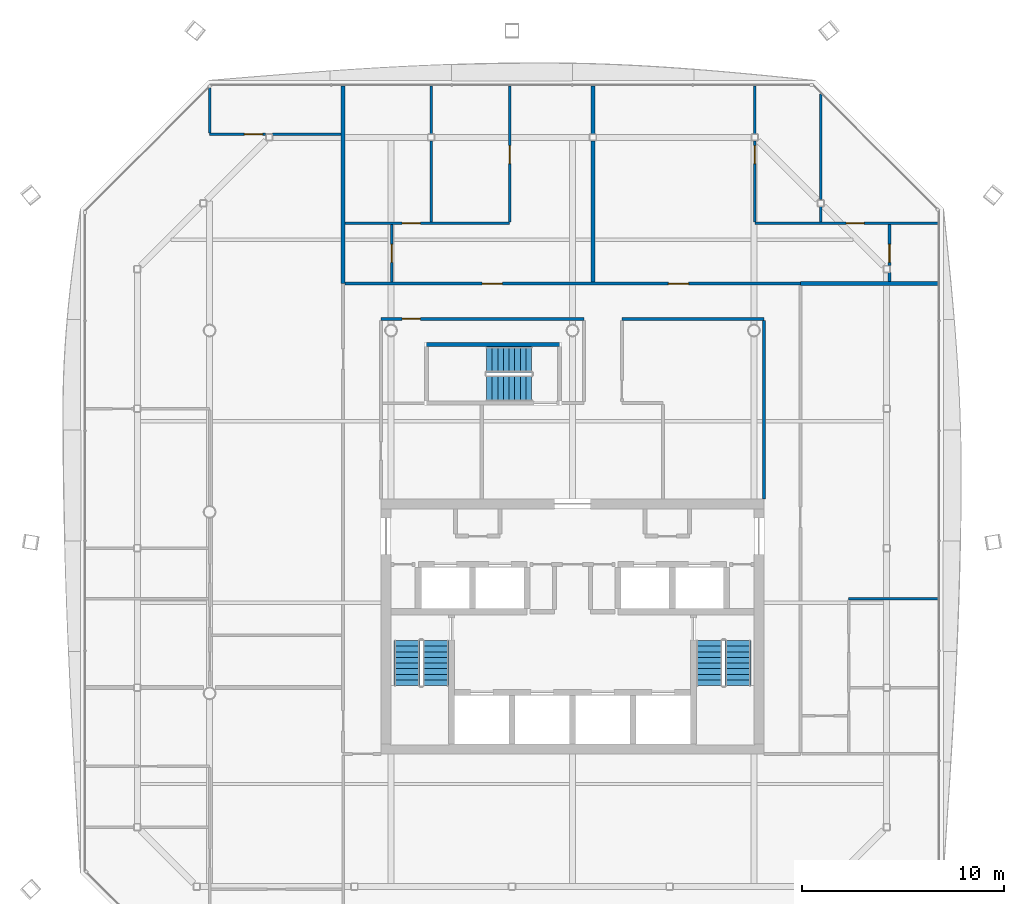
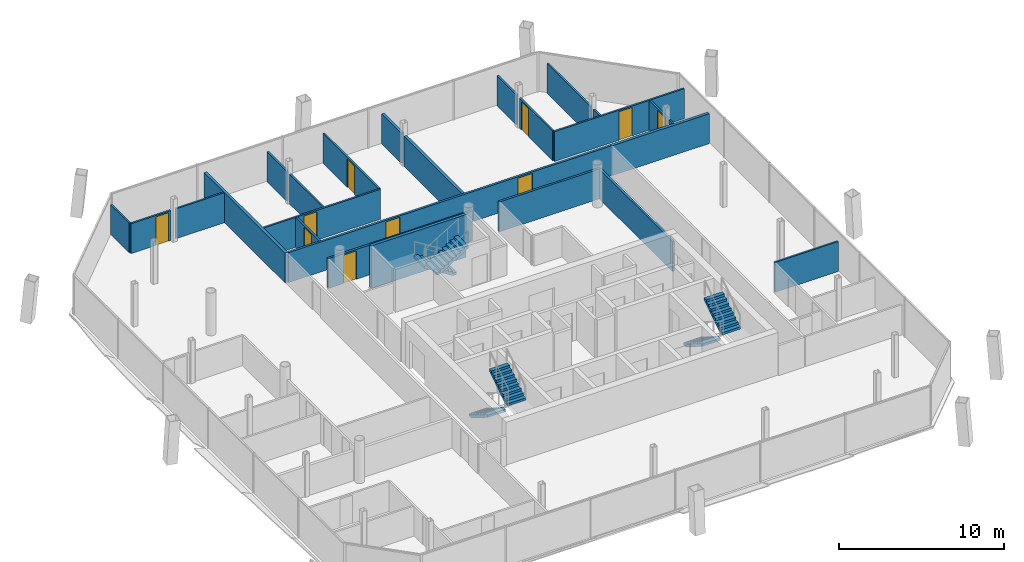
# One storey, part 16 of 20: 25 walls, 10 doors, 6 stair flights, 10 openings, 3 elements without a shape of their own.
"""IFC4 building model written with IfcOpenShell, lengths in metres."""

import ifcopenshell
import ifcopenshell.guid

model = None  # the IFC model being written
_history = None  # IfcOwnerHistory: only IFC2X3 demands one
_inside = {}  # id of a spatial element -> (the spatial element, [elements in it])
_under = {}  # id of a project, library or spatial element -> (it, [spatial elements below it])
_declared = {}  # id of a project -> (the project, [libraries it declares])
_typed = {}  # id of a type object -> (the type object, [elements of that type])
_made_of = {}  # id of a material, layer set ... -> (it, [elements and type objects made of it])


def new_model(schema):
    """Start an empty IFC model of exactly this schema.

    Asked for "IFC4X3", IfcOpenShell would pick the latest addendum, in which some entities
    have other attributes; the version numbers below select the first issue.
    IFC2X3 requires an IfcOwnerHistory on every rooted entity: one is made here for all.
    """
    global model, _history
    if schema == "IFC4X3":
        model = ifcopenshell.file(schema_version=(4, 3, 0, 0))
    else:
        model = ifcopenshell.file(schema=schema)
    _inside.clear()
    _under.clear()
    _declared.clear()
    _typed.clear()
    _made_of.clear()
    _history = None
    if model.schema == "IFC2X3":
        org = make("IfcOrganization", Name="unknown")
        user = make(
            "IfcPersonAndOrganization",
            ThePerson=make("IfcPerson", FamilyName="unknown"),
            TheOrganization=org,
        )
        app = make(
            "IfcApplication",
            ApplicationDeveloper=org,
            Version="unknown",
            ApplicationFullName="unknown",
            ApplicationIdentifier="unknown",
        )
        _history = make(
            "IfcOwnerHistory",
            OwningUser=user,
            OwningApplication=app,
            ChangeAction="ADDED",
            CreationDate=0,
        )
    return model


def make(cls, **values):
    """One entity of the class cls with the attributes given. An attribute that is None is left unset."""
    return model.create_entity(
        cls, **{name: value for name, value in values.items() if value is not None}
    )


def rooted(cls, **values):
    """An entity with a GlobalId (a new one), such as an element, a storey or a relation."""
    return make(cls, GlobalId=ifcopenshell.guid.new(), OwnerHistory=_history, **values)


def si_unit(unit_type, name, prefix=None):
    """IfcSIUnit, for example si_unit("LENGTHUNIT", "METRE", prefix="MILLI")."""
    return make("IfcSIUnit", UnitType=unit_type, Prefix=prefix, Name=name)


def assignment(units):
    """IfcUnitAssignment: the units of a project."""
    return None if units is None else make("IfcUnitAssignment", Units=units)


def point(xyz):
    """IfcCartesianPoint."""
    return None if xyz is None else make("IfcCartesianPoint", Coordinates=xyz)


def direction(xyz):
    """IfcDirection."""
    return None if xyz is None else make("IfcDirection", DirectionRatios=xyz)


def frame(location, z_axis=None, x_axis=None):
    """IfcAxis2Placement3D, a coordinate frame: its origin and axes. An axis left out is left unset."""
    return make(
        "IfcAxis2Placement3D",
        Location=point(location),
        Axis=direction(z_axis),
        RefDirection=direction(x_axis),
    )


def frame_2d(location, x_axis=None):
    """IfcAxis2Placement2D, a coordinate frame in the plane: its origin and x axis."""
    return make(
        "IfcAxis2Placement2D", Location=point(location), RefDirection=direction(x_axis)
    )


def origin():
    """The frame at (0, 0, 0) with its axes left unset."""
    return frame((0.0, 0.0, 0.0))


def place(relative_to, where):
    """IfcLocalPlacement: puts the frame where relative to a parent placement (None: the world)."""
    return make(
        "IfcLocalPlacement", PlacementRelTo=relative_to, RelativePlacement=where
    )


def context(
    kind, dimensions, precision=None, world=None, true_north=None, identifier=None
):
    """IfcGeometricRepresentationContext, for example the 3D "Model" context."""
    return make(
        "IfcGeometricRepresentationContext",
        ContextIdentifier=identifier,
        ContextType=kind,
        CoordinateSpaceDimension=dimensions,
        Precision=precision,
        WorldCoordinateSystem=world,
        TrueNorth=true_north,
    )


def subcontext(parent, identifier, kind, view, scale=None):
    """IfcGeometricRepresentationSubContext, for example "Body" below "Model"."""
    return make(
        "IfcGeometricRepresentationSubContext",
        ContextIdentifier=identifier,
        ContextType=kind,
        ParentContext=parent,
        TargetScale=scale,
        TargetView=view,
    )


def project(units=None, contexts=None):
    """IfcProject with its units and contexts."""
    return rooted(
        "IfcProject",
        Name="project",
        RepresentationContexts=contexts,
        UnitsInContext=assignment(units),
    )


def spatial(cls, under=None, at=None, **own):
    """A site, building, storey or space (cls), placed at a placement, below another one or the project."""
    s = rooted(cls, ObjectPlacement=at, **own)
    if under is not None:
        _under.setdefault(under.id(), (under, []))[1].append(s)
    return s


def polyline(points):
    """IfcPolyline through the points."""
    return make("IfcPolyline", Points=[point(p) for p in points])


def profile(cls, at=None, kind="AREA", **sizes):
    """A parametric profile (cls). Its sizes go by their IFC names, for example OverallWidth=200.0."""
    return make(cls, ProfileType=kind, Position=at, **sizes)


def rectangle(**sizes):
    """IfcRectangleProfileDef."""
    return profile("IfcRectangleProfileDef", **sizes)


def outline(outer, holes=None, kind="AREA"):
    """IfcArbitraryClosedProfileDef: a profile drawn as a closed curve; with holes, ...WithVoids."""
    if holes is None:
        return make("IfcArbitraryClosedProfileDef", ProfileType=kind, OuterCurve=outer)
    return make(
        "IfcArbitraryProfileDefWithVoids",
        ProfileType=kind,
        OuterCurve=outer,
        InnerCurves=holes,
    )


def extrude(swept, where, along, depth):
    """IfcExtrudedAreaSolid: the profile swept, set in the frame where, extruded along a direction by depth."""
    return make(
        "IfcExtrudedAreaSolid",
        SweptArea=swept,
        Position=where,
        ExtrudedDirection=direction(along),
        Depth=depth,
    )


def shape(context_of_items, identifier, shape_type, items):
    """IfcShapeRepresentation: the items that make up one representation, for example the "Body"."""
    return make(
        "IfcShapeRepresentation",
        ContextOfItems=context_of_items,
        RepresentationIdentifier=identifier,
        RepresentationType=shape_type,
        Items=items,
    )


def material(Name=None, Category=None):
    """IfcMaterial."""
    return make("IfcMaterial", Name=Name, Category=Category)


def layer(
    of_material, thickness, ventilated=None, Name=None, Category=None, Priority=None
):
    """IfcMaterialLayer: one layer of a wall or slab, of a material (None: an air gap)."""
    return make(
        "IfcMaterialLayer",
        Material=of_material,
        LayerThickness=thickness,
        IsVentilated=ventilated,
        Name=Name,
        Category=Category,
        Priority=Priority,
    )


def layer_set(layers, Name=None):
    """IfcMaterialLayerSet."""
    return make("IfcMaterialLayerSet", MaterialLayers=layers, LayerSetName=Name)


def made_of(thing, what):
    """Note that an element or type object is made of a material, layer set ...; save() writes the relation."""
    if what is not None:
        _made_of.setdefault(what.id(), (what, []))[1].append(thing)
    return thing


def type_object(cls, material=None, **own):
    """A type object (cls), such as IfcWallType, which elements share."""
    return made_of(rooted(cls, **own), material)


def element(
    cls,
    number,
    at=None,
    inside=None,
    cuts=None,
    type_object=None,
    material=None,
    context=None,
    identifier="Body",
    shape_type=None,
    held_by="IfcProductDefinitionShape",
    body=None,
    shapes=None,
    **own,
):
    """One element of the class cls, such as IfcWall. Its Tag is "e" and its number.

    at: its placement. inside: the storey or other place that contains it. cuts: it is an
    opening in that element (IfcRelVoidsElement). A single representation is given by context,
    identifier, shape_type and body (its items); several are given by shapes. held_by: the class
    of the entity that holds the representations. save() writes the other relations.
    """
    e = rooted(cls, Tag="e%d" % number, ObjectPlacement=at, **own)
    if body is not None:
        shapes = [shape(context, identifier, shape_type, body)]
    if shapes is not None:
        e.Representation = make(held_by, Representations=shapes)
    if inside is not None:
        _inside.setdefault(inside.id(), (inside, []))[1].append(e)
    if cuts is not None:
        rooted(
            "IfcRelVoidsElement", RelatingBuildingElement=cuts, RelatedOpeningElement=e
        )
    if type_object is not None:
        _typed.setdefault(type_object.id(), (type_object, []))[1].append(e)
    return made_of(e, material)


def fill(opening, filler):
    """IfcRelFillsElement: the door or window that sits in an opening."""
    return rooted(
        "IfcRelFillsElement",
        RelatingOpeningElement=opening,
        RelatedBuildingElement=filler,
    )


def aggregate(whole, parts):
    """IfcRelAggregates: a whole, such as a stair, and the parts it consists of."""
    return rooted("IfcRelAggregates", RelatingObject=whole, RelatedObjects=parts)


def save(model, path):
    """Write the relations noted so far, then the file.

    IfcRelAggregates (storeys below a building ...), IfcRelContainedInSpatialStructure (elements
    in a storey), IfcRelDefinesByType, IfcRelAssociatesMaterial and IfcRelDeclares: one each for
    every whole, place, type object, material and project.
    """
    for whole, parts in _under.values():
        aggregate(whole, parts)
    for where, things in _inside.values():
        rooted(
            "IfcRelContainedInSpatialStructure",
            RelatedElements=things,
            RelatingStructure=where,
        )
    for kind, things in _typed.values():
        rooted("IfcRelDefinesByType", RelatedObjects=things, RelatingType=kind)
    for what, things in _made_of.values():
        rooted("IfcRelAssociatesMaterial", RelatedObjects=things, RelatingMaterial=what)
    for by, libraries in _declared.values():
        rooted("IfcRelDeclares", RelatingContext=by, RelatedDefinitions=libraries)
    model.write(path)


model = new_model("IFC4")

# Units and contexts
model_context = context("Model", 3, precision=1e-05, world=origin(), true_north=direction((0.0, 1.0)))
body_context = subcontext(model_context, "Body", "Model", "MODEL_VIEW")
ifc_project = project(units=[si_unit("LENGTHUNIT", "METRE"), si_unit("AREAUNIT", "SQUARE_METRE"), si_unit("VOLUMEUNIT", "CUBIC_METRE"), si_unit("PLANEANGLEUNIT", "RADIAN"), si_unit("MASSUNIT", "GRAM", prefix="KILO")], contexts=[model_context])

# Site, building, storey
site_placement = place(None, origin())
site = spatial("IfcSite", under=ifc_project, at=site_placement, CompositionType="ELEMENT")
building_placement = place(site_placement, origin())
building = spatial("IfcBuilding", under=site, at=building_placement, Name="Tskaro Facet Tower", CompositionType="ELEMENT")
storey_placement = place(building_placement, frame((0.0, 0.0, 178.5)))
storey = spatial("IfcBuildingStorey", under=building, at=storey_placement, Name="L44", CompositionType="ELEMENT", Elevation=178.5)

# Wall
ifc_material_1 = material(Name="Gypsum board on steel studs", Category="steel")
ifc_layer_1 = layer(ifc_material_1, 0.125, Name="Gypsum board on steel studs")
ifc_layer_set_1 = layer_set([ifc_layer_1], Name="Gypsum board on steel studs")
wall_type_1 = type_object("IfcWallType", Name="PART", PredefinedType="PARTITIONING", material=ifc_layer_set_1)
wall_1_placement = place(storey_placement, frame((13.699951171875, -4.300048828125, 0.0), z_axis=(0.0, 0.0, 1.0), x_axis=(1.0, 0.0, 0.0)))
element("IfcWall", 1, at=wall_1_placement, inside=storey, type_object=wall_type_1, Name="Partition W021", PredefinedType="PARTITIONING", context=body_context, shape_type="SweptSolid", body=[
    extrude(rectangle(XDim=4.425048828125, YDim=0.125, at=frame_2d((2.21240234375, 0.0))), origin(), (0.0, 0.0, 1.0), 2.2099609375),
])

# Wall, opening, door
wall_2_placement = place(storey_placement, frame((-11.27490234375, 14.324951171875, 0.0), z_axis=(0.0, 0.0, 1.0), x_axis=(1.0, 0.0, 0.0)))
wall_2 = element("IfcWall", 2, at=wall_2_placement, inside=storey, type_object=wall_type_1, Name="Partition W042", PredefinedType="PARTITIONING", context=body_context, shape_type="SweptSolid", body=[
    extrude(rectangle(XDim=8.159912109375, YDim=0.125, at=frame_2d((4.080078125, 0.0))), origin(), (0.0, 0.0, 1.0), 2.2099609375),
])
opening_1_placement = place(wall_2_placement, frame((2.830078125, 0.0, 0.0)))
opening_1 = element("IfcOpeningElement", 3, at=opening_1_placement, cuts=wall_2, Name="Opening T12-D31", PredefinedType="OPENING", context=body_context, shape_type="SweptSolid", body=[
    extrude(rectangle(XDim=0.89990234375, YDim=2.10009765625, at=frame_2d((0.449951171875, 1.050048828125))), frame((0.0, 0.072509765625, 0.0), z_axis=(0.0, -1.0, 0.0), x_axis=(1.0, 0.0, 0.0)), (0.0, 0.0, 1.0), 0.14501953125),
])
ifc_material_2 = material(Name="Timber", Category="wood")
door_type_1 = type_object("IfcDoorType", Name="D-ROOM", OperationType="NOTDEFINED", PredefinedType="DOOR", material=ifc_material_2)
door_1_placement = place(opening_1_placement, origin())
door_1 = element("IfcDoor", 4, at=door_1_placement, inside=storey, type_object=door_type_1, Name="Door T12-D31", OperationType="SINGLE_SWING_RIGHT", OverallHeight=2.10009765625, OverallWidth=0.89990234375, PredefinedType="DOOR", context=body_context, shape_type="SweptSolid", body=[
    extrude(rectangle(XDim=0.89990234375, YDim=2.10009765625, at=frame_2d((0.449951171875, 1.050048828125))), frame((0.0, 0.02490234375, 0.0), z_axis=(0.0, -1.0, 0.0), x_axis=(1.0, 0.0, 0.0)), (0.0, 0.0, 1.0), 0.050048828125),
])
fill(opening_1, door_1)

wall_3_placement = place(storey_placement, frame((9.044921875, 14.324951171875, 0.0), z_axis=(0.0, 0.0, 1.0), x_axis=(1.0, 0.0, 0.0)))
wall_3 = element("IfcWall", 5, at=wall_3_placement, inside=storey, type_object=wall_type_1, Name="Partition W043", PredefinedType="PARTITIONING", context=body_context, shape_type="SweptSolid", body=[
    extrude(rectangle(XDim=9.080078125, YDim=0.125, at=frame_2d((4.5400390625, 0.0))), origin(), (0.0, 0.0, 1.0), 2.2099609375),
])
opening_2_placement = place(wall_3_placement, frame((4.52490234375, 0.0, 0.0)))
opening_2 = element("IfcOpeningElement", 6, at=opening_2_placement, cuts=wall_3, Name="Opening T12-D32", PredefinedType="OPENING", context=body_context, shape_type="SweptSolid", body=[
    extrude(rectangle(XDim=0.89990234375, YDim=2.10009765625, at=frame_2d((0.449951171875, 1.050048828125))), frame((0.0, 0.072509765625, 0.0), z_axis=(0.0, -1.0, 0.0), x_axis=(1.0, 0.0, 0.0)), (0.0, 0.0, 1.0), 0.14501953125),
])
door_2_placement = place(opening_2_placement, origin())
door_2 = element("IfcDoor", 7, at=door_2_placement, inside=storey, type_object=door_type_1, Name="Door T12-D32", OperationType="SINGLE_SWING_LEFT", OverallHeight=2.10009765625, OverallWidth=0.89990234375, PredefinedType="DOOR", context=body_context, shape_type="SweptSolid", body=[
    extrude(rectangle(XDim=0.89990234375, YDim=2.10009765625, at=frame_2d((0.449951171875, 1.050048828125))), frame((0.0, 0.02490234375, 0.0), z_axis=(0.0, -1.0, 0.0), x_axis=(1.0, 0.0, 0.0)), (0.0, 0.0, 1.0), 0.050048828125),
])
fill(opening_2, door_2)

wall_4_placement = place(storey_placement, frame((-18.0, 18.72509765625, 0.0), z_axis=(0.0, 0.0, 1.0), x_axis=(1.0, 0.0, 0.0)))
wall_4 = element("IfcWall", 8, at=wall_4_placement, inside=storey, type_object=wall_type_1, Name="Partition W044", PredefinedType="PARTITIONING", context=body_context, shape_type="SweptSolid", body=[
    extrude(rectangle(XDim=2.779052734375, YDim=0.125, at=frame_2d((1.3896484375, 0.0))), origin(), (0.0, 0.0, 1.0), 2.2099609375),
])
opening_3_placement = place(wall_4_placement, frame((1.72900390625, 0.0, 0.0)))
opening_3 = element("IfcOpeningElement", 9, at=opening_3_placement, cuts=wall_4, Name="Opening T12-D35", PredefinedType="OPENING", context=body_context, shape_type="SweptSolid", body=[
    extrude(rectangle(XDim=0.89990234375, YDim=2.10009765625, at=frame_2d((0.449951171875, 1.050048828125))), frame((0.0, 0.072509765625, 0.0), z_axis=(0.0, -1.0, 0.0), x_axis=(1.0, 0.0, 0.0)), (0.0, 0.0, 1.0), 0.14501953125),
])
door_3_placement = place(opening_3_placement, origin())
door_3 = element("IfcDoor", 10, at=door_3_placement, inside=storey, type_object=door_type_1, Name="Door T12-D35", OperationType="SINGLE_SWING_LEFT", OverallHeight=2.10009765625, OverallWidth=0.89990234375, PredefinedType="DOOR", context=body_context, shape_type="SweptSolid", body=[
    extrude(rectangle(XDim=0.89990234375, YDim=2.10009765625, at=frame_2d((0.449951171875, 1.050048828125))), frame((0.0, 0.02490234375, 0.0), z_axis=(0.0, -1.0, 0.0), x_axis=(1.0, 0.0, 0.0)), (0.0, 0.0, 1.0), 0.050048828125),
])
fill(opening_3, door_3)

# Walls
wall_5_placement = place(storey_placement, frame((-14.87109375, 18.72509765625, 0.0), z_axis=(0.0, 0.0, 1.0), x_axis=(1.0, 0.0, 0.0)))
element("IfcWall", 11, at=wall_5_placement, inside=storey, type_object=wall_type_1, Name="Partition W045", PredefinedType="PARTITIONING", context=body_context, shape_type="SweptSolid", body=[
    extrude(rectangle(XDim=3.39599609375, YDim=0.125, at=frame_2d((1.697998046875, 0.0))), origin(), (0.0, 0.0, 1.0), 2.2099609375),
])
wall_6_placement = place(storey_placement, frame((-18.0, 18.78759765625, 0.0), z_axis=(0.0, 0.0, 1.0), x_axis=(0.0, 1.0, 0.0)))
element("IfcWall", 12, at=wall_6_placement, inside=storey, type_object=wall_type_1, Name="Partition W049", PredefinedType="PARTITIONING", context=body_context, shape_type="SweptSolid", body=[
    extrude(rectangle(XDim=2.24951171875, YDim=0.125, at=frame_2d((1.124755859375, 0.0))), origin(), (0.0, 0.0, 1.0), 2.2099609375),
])

# Wall, opening, door
wall_7_placement = place(storey_placement, frame((-8.97509765625, 11.39990234375, 0.0), z_axis=(0.0, 0.0, 1.0), x_axis=(0.0, 1.0, 0.0)))
wall_7 = element("IfcWall", 13, at=wall_7_placement, inside=storey, type_object=wall_type_1, Name="Partition W054", PredefinedType="PARTITIONING", context=body_context, shape_type="SweptSolid", body=[
    extrude(rectangle(XDim=2.862548828125, YDim=0.125, at=frame_2d((1.43115234375, 0.0))), origin(), (0.0, 0.0, 1.0), 2.2099609375),
])
opening_4_placement = place(wall_7_placement, frame((0.97509765625, 0.0, 0.0)))
opening_4 = element("IfcOpeningElement", 14, at=opening_4_placement, cuts=wall_7, Name="Opening T12-D29", PredefinedType="OPENING", context=body_context, shape_type="SweptSolid", body=[
    extrude(rectangle(XDim=0.89990234375, YDim=2.10009765625, at=frame_2d((0.449951171875, 1.050048828125))), frame((0.0, 0.072509765625, 0.0), z_axis=(0.0, -1.0, 0.0), x_axis=(1.0, 0.0, 0.0)), (0.0, 0.0, 1.0), 0.14501953125),
])
door_4_placement = place(opening_4_placement, origin())
door_4 = element("IfcDoor", 15, at=door_4_placement, inside=storey, type_object=door_type_1, Name="Door T12-D29", OperationType="SINGLE_SWING_LEFT", OverallHeight=2.10009765625, OverallWidth=0.89990234375, PredefinedType="DOOR", context=body_context, shape_type="SweptSolid", body=[
    extrude(rectangle(XDim=0.89990234375, YDim=2.10009765625, at=frame_2d((0.449951171875, 1.050048828125))), frame((0.0, 0.02490234375, 0.0), z_axis=(0.0, -1.0, 0.0), x_axis=(1.0, 0.0, 0.0)), (0.0, 0.0, 1.0), 0.050048828125),
])
fill(opening_4, door_4)

# Walls
wall_8_placement = place(storey_placement, frame((-7.014892578125, 14.387451171875, 0.0), z_axis=(0.0, 0.0, 1.0), x_axis=(0.0, 1.0, 0.0)))
element("IfcWall", 16, at=wall_8_placement, inside=storey, type_object=wall_type_1, Name="Partition W057", PredefinedType="PARTITIONING", context=body_context, shape_type="SweptSolid", body=[
    extrude(rectangle(XDim=4.0205078125, YDim=0.125, at=frame_2d((2.01025390625, 0.0))), origin(), (0.0, 0.0, 1.0), 2.2099609375),
])
wall_9_placement = place(storey_placement, frame((-7.014892578125, 18.758056640625, 0.0), z_axis=(0.0, 0.0, 1.0), x_axis=(0.0, 1.0, 0.0)))
element("IfcWall", 17, at=wall_9_placement, inside=storey, type_object=wall_type_1, Name="Partition W058", PredefinedType="PARTITIONING", context=body_context, shape_type="SweptSolid", body=[
    extrude(rectangle(XDim=2.366943359375, YDim=0.125, at=frame_2d((1.18359375, 0.0))), origin(), (0.0, 0.0, 1.0), 2.2099609375),
])

# Wall, opening, door
wall_10_placement = place(storey_placement, frame((-3.114990234375, 14.387451171875, 0.0), z_axis=(0.0, 0.0, 1.0), x_axis=(0.0, 1.0, 0.0)))
wall_10 = element("IfcWall", 18, at=wall_10_placement, inside=storey, type_object=wall_type_1, Name="Partition W064", PredefinedType="PARTITIONING", context=body_context, shape_type="SweptSolid", body=[
    extrude(rectangle(XDim=6.737548828125, YDim=0.125, at=frame_2d((3.36865234375, 0.0))), origin(), (0.0, 0.0, 1.0), 2.2099609375),
])
opening_5_placement = place(wall_10_placement, frame((2.887451171875, 0.0, 0.0)))
opening_5 = element("IfcOpeningElement", 19, at=opening_5_placement, cuts=wall_10, Name="Opening T12-D33", PredefinedType="OPENING", context=body_context, shape_type="SweptSolid", body=[
    extrude(rectangle(XDim=0.89990234375, YDim=2.10009765625, at=frame_2d((0.449951171875, 1.050048828125))), frame((0.0, 0.072509765625, 0.0), z_axis=(0.0, -1.0, 0.0), x_axis=(1.0, 0.0, 0.0)), (0.0, 0.0, 1.0), 0.14501953125),
])
door_5_placement = place(opening_5_placement, origin())
door_5 = element("IfcDoor", 20, at=door_5_placement, inside=storey, type_object=door_type_1, Name="Door T12-D33", OperationType="SINGLE_SWING_RIGHT", OverallHeight=2.10009765625, OverallWidth=0.89990234375, PredefinedType="DOOR", context=body_context, shape_type="SweptSolid", body=[
    extrude(rectangle(XDim=0.89990234375, YDim=2.10009765625, at=frame_2d((0.449951171875, 1.050048828125))), frame((0.0, 0.02490234375, 0.0), z_axis=(0.0, -1.0, 0.0), x_axis=(1.0, 0.0, 0.0)), (0.0, 0.0, 1.0), 0.050048828125),
])
fill(opening_5, door_5)

wall_11_placement = place(storey_placement, frame((9.044921875, 18.407958984375, 0.0), z_axis=(0.0, 0.0, 1.0), x_axis=(0.0, -1.0, 0.0)))
wall_11 = element("IfcWall", 21, at=wall_11_placement, inside=storey, type_object=wall_type_1, Name="Partition W083", PredefinedType="PARTITIONING", context=body_context, shape_type="SweptSolid", body=[
    extrude(rectangle(XDim=4.0205078125, YDim=0.125, at=frame_2d((2.01025390625, 0.0))), origin(), (0.0, 0.0, 1.0), 2.2099609375),
])
opening_6_placement = place(wall_11_placement, frame((0.23291015625, 0.0, 0.0)))
opening_6 = element("IfcOpeningElement", 22, at=opening_6_placement, cuts=wall_11, Name="Opening T12-D34", PredefinedType="OPENING", context=body_context, shape_type="SweptSolid", body=[
    extrude(rectangle(XDim=0.89990234375, YDim=2.10009765625, at=frame_2d((0.449951171875, 1.050048828125))), frame((0.0, 0.072509765625, 0.0), z_axis=(0.0, -1.0, 0.0), x_axis=(1.0, 0.0, 0.0)), (0.0, 0.0, 1.0), 0.14501953125),
])
door_6_placement = place(opening_6_placement, origin())
door_6 = element("IfcDoor", 23, at=door_6_placement, inside=storey, type_object=door_type_1, Name="Door T12-D34", OperationType="SINGLE_SWING_LEFT", OverallHeight=2.10009765625, OverallWidth=0.89990234375, PredefinedType="DOOR", context=body_context, shape_type="SweptSolid", body=[
    extrude(rectangle(XDim=0.89990234375, YDim=2.10009765625, at=frame_2d((0.449951171875, 1.050048828125))), frame((0.0, 0.02490234375, 0.0), z_axis=(0.0, -1.0, 0.0), x_axis=(1.0, 0.0, 0.0)), (0.0, 0.0, 1.0), 0.050048828125),
])
fill(opening_6, door_6)

# Walls
wall_12_placement = place(storey_placement, frame((9.044921875, 18.758056640625, 0.0), z_axis=(0.0, 0.0, 1.0), x_axis=(0.0, 1.0, 0.0)))
element("IfcWall", 24, at=wall_12_placement, inside=storey, type_object=wall_type_1, Name="Partition W084", PredefinedType="PARTITIONING", context=body_context, shape_type="SweptSolid", body=[
    extrude(rectangle(XDim=2.366943359375, YDim=0.125, at=frame_2d((1.18359375, 0.0))), origin(), (0.0, 0.0, 1.0), 2.2099609375),
])
wall_13_placement = place(storey_placement, frame((12.31494140625, 14.387451171875, 0.0), z_axis=(0.0, 0.0, 1.0), x_axis=(0.0, 1.0, 0.0)))
element("IfcWall", 25, at=wall_13_placement, inside=storey, type_object=wall_type_1, Name="Partition W087", PredefinedType="PARTITIONING", context=body_context, shape_type="SweptSolid", body=[
    extrude(rectangle(XDim=0.75146484375, YDim=0.125, at=frame_2d((0.375732421875, 0.0))), origin(), (0.0, 0.0, 1.0), 2.2099609375),
])
wall_14_placement = place(storey_placement, frame((12.31494140625, 15.489013671875, 0.0), z_axis=(0.0, 0.0, 1.0), x_axis=(0.0, 1.0, 0.0)))
element("IfcWall", 26, at=wall_14_placement, inside=storey, type_object=wall_type_1, Name="Partition W088", PredefinedType="PARTITIONING", context=body_context, shape_type="SweptSolid", body=[
    extrude(rectangle(XDim=5.23291015625, YDim=0.125, at=frame_2d((2.616455078125, 0.0))), origin(), (0.0, 0.0, 1.0), 2.2099609375),
])
wall_15_placement = place(storey_placement, frame((15.72509765625, 11.425048828125, 0.0), z_axis=(0.0, 0.0, 1.0), x_axis=(0.0, 1.0, 0.0)))
element("IfcWall", 27, at=wall_15_placement, inside=storey, type_object=wall_type_1, Name="Partition W090", PredefinedType="PARTITIONING", context=body_context, shape_type="SweptSolid", body=[
    extrude(rectangle(XDim=0.446044921875, YDim=0.125, at=frame_2d((0.22314453125, 0.0))), origin(), (0.0, 0.0, 1.0), 2.2099609375),
])

# Wall, opening, door
wall_16_placement = place(storey_placement, frame((15.72509765625, 14.262451171875, 0.0), z_axis=(0.0, 0.0, 1.0), x_axis=(0.0, -1.0, 0.0)))
wall_16 = element("IfcWall", 28, at=wall_16_placement, inside=storey, type_object=wall_type_1, Name="Partition W091", PredefinedType="PARTITIONING", context=body_context, shape_type="SweptSolid", body=[
    extrude(rectangle(XDim=2.04150390625, YDim=0.125, at=frame_2d((1.020751953125, 0.0))), origin(), (0.0, 0.0, 1.0), 2.2099609375),
])
opening_7_placement = place(wall_16_placement, frame((0.987548828125, 0.0, 0.0)))
opening_7 = element("IfcOpeningElement", 29, at=opening_7_placement, cuts=wall_16, Name="Opening T12-D30", PredefinedType="OPENING", context=body_context, shape_type="SweptSolid", body=[
    extrude(rectangle(XDim=0.89990234375, YDim=2.10009765625, at=frame_2d((0.449951171875, 1.050048828125))), frame((0.0, 0.072509765625, 0.0), z_axis=(0.0, -1.0, 0.0), x_axis=(1.0, 0.0, 0.0)), (0.0, 0.0, 1.0), 0.14501953125),
])
door_7_placement = place(opening_7_placement, origin())
door_7 = element("IfcDoor", 30, at=door_7_placement, inside=storey, type_object=door_type_1, Name="Door T12-D30", OperationType="SINGLE_SWING_RIGHT", OverallHeight=2.10009765625, OverallWidth=0.89990234375, PredefinedType="DOOR", context=body_context, shape_type="SweptSolid", body=[
    extrude(rectangle(XDim=0.89990234375, YDim=2.10009765625, at=frame_2d((0.449951171875, 1.050048828125))), frame((0.0, 0.02490234375, 0.0), z_axis=(0.0, -1.0, 0.0), x_axis=(1.0, 0.0, 0.0)), (0.0, 0.0, 1.0), 0.050048828125),
])
fill(opening_7, door_7)

ifc_layer_2 = layer(ifc_material_1, 0.14990234375, Name="Gypsum board on steel studs")
ifc_layer_set_2 = layer_set([ifc_layer_2], Name="Gypsum board on steel studs")
wall_type_2 = type_object("IfcWallType", Name="PART-CORR", PredefinedType="PARTITIONING", material=ifc_layer_set_2)
wall_17_placement = place(storey_placement, frame((0.574951171875, 9.574951171875, 0.0), z_axis=(0.0, 0.0, 1.0), x_axis=(-1.0, 0.0, 0.0)))
wall_17 = element("IfcWall", 31, at=wall_17_placement, inside=storey, type_object=wall_type_2, Name="Corridor wall W038", PredefinedType="PARTITIONING", context=body_context, shape_type="SweptSolid", body=[
    extrude(rectangle(XDim=10.074951171875, YDim=0.14990234375, at=frame_2d((5.03759765625, 0.0))), origin(), (0.0, 0.0, 1.0), 2.2099609375),
])
opening_8_placement = place(wall_17_placement, frame((8.125, 0.0, 0.0)))
opening_8 = element("IfcOpeningElement", 32, at=opening_8_placement, cuts=wall_17, Name="Opening T12-D26", PredefinedType="OPENING", context=body_context, shape_type="SweptSolid", body=[
    extrude(rectangle(XDim=0.89990234375, YDim=2.10009765625, at=frame_2d((0.449951171875, 1.050048828125))), frame((0.0, 0.0849609375, 0.0), z_axis=(0.0, -1.0, 0.0), x_axis=(1.0, 0.0, 0.0)), (0.0, 0.0, 1.0), 0.169921875),
])
door_8_placement = place(opening_8_placement, origin())
door_8 = element("IfcDoor", 33, at=door_8_placement, inside=storey, type_object=door_type_1, Name="Door T12-D26", OperationType="SINGLE_SWING_RIGHT", OverallHeight=2.10009765625, OverallWidth=0.89990234375, PredefinedType="DOOR", context=body_context, shape_type="SweptSolid", body=[
    extrude(rectangle(XDim=0.89990234375, YDim=2.10009765625, at=frame_2d((0.449951171875, 1.050048828125))), frame((0.0, 0.02490234375, 0.0), z_axis=(0.0, -1.0, 0.0), x_axis=(1.0, 0.0, 0.0)), (0.0, 0.0, 1.0), 0.050048828125),
])
fill(opening_8, door_8)

# Wall
wall_18_placement = place(storey_placement, frame((2.449951171875, 9.574951171875, 0.0), z_axis=(0.0, 0.0, 1.0), x_axis=(1.0, 0.0, 0.0)))
element("IfcWall", 34, at=wall_18_placement, inside=storey, type_object=wall_type_2, Name="Corridor wall W039", PredefinedType="PARTITIONING", context=body_context, shape_type="SweptSolid", body=[
    extrude(rectangle(XDim=7.050048828125, YDim=0.14990234375, at=frame_2d((3.52490234375, 0.0))), origin(), (0.0, 0.0, 1.0), 2.2099609375),
])

# Wall, openings, doors
wall_19_placement = place(storey_placement, frame((-11.27490234375, 11.324951171875, 0.0), z_axis=(0.0, 0.0, 1.0), x_axis=(1.0, 0.0, 0.0)))
wall_19 = element("IfcWall", 35, at=wall_19_placement, inside=storey, type_object=wall_type_2, Name="Corridor wall W040", PredefinedType="PARTITIONING", context=body_context, shape_type="SweptSolid", body=[
    extrude(rectangle(XDim=22.574951171875, YDim=0.14990234375, at=frame_2d((11.28759765625, 0.0))), origin(), (0.0, 0.0, 1.0), 2.2099609375),
])
opening_9_placement = place(wall_19_placement, frame((6.794921875, 0.0, 0.0)))
opening_9 = element("IfcOpeningElement", 36, at=opening_9_placement, cuts=wall_19, Name="Opening T12-D27", PredefinedType="OPENING", context=body_context, shape_type="SweptSolid", body=[
    extrude(rectangle(XDim=1.0, YDim=2.10009765625, at=frame_2d((0.5, 1.050048828125))), frame((0.0, 0.0849609375, 0.0), z_axis=(0.0, -1.0, 0.0), x_axis=(1.0, 0.0, 0.0)), (0.0, 0.0, 1.0), 0.169921875),
])
opening_10_placement = place(wall_19_placement, frame((16.032470703125, 0.0, 0.0)))
opening_10 = element("IfcOpeningElement", 37, at=opening_10_placement, cuts=wall_19, Name="Opening T12-D28", PredefinedType="OPENING", context=body_context, shape_type="SweptSolid", body=[
    extrude(rectangle(XDim=1.0, YDim=2.10009765625, at=frame_2d((0.5, 1.050048828125))), frame((0.0, 0.0849609375, 0.0), z_axis=(0.0, -1.0, 0.0), x_axis=(1.0, 0.0, 0.0)), (0.0, 0.0, 1.0), 0.169921875),
])
door_type_2 = type_object("IfcDoorType", Name="D-FLAT-ENTRY", OperationType="NOTDEFINED", PredefinedType="DOOR", material=ifc_material_2)
door_9_placement = place(opening_9_placement, origin())
door_9 = element("IfcDoor", 38, at=door_9_placement, inside=storey, type_object=door_type_2, Name="Door T12-D27", OperationType="SINGLE_SWING_LEFT", OverallHeight=2.10009765625, OverallWidth=1.0, PredefinedType="DOOR", context=body_context, shape_type="SweptSolid", body=[
    extrude(rectangle(XDim=1.0, YDim=2.10009765625, at=frame_2d((0.5, 1.050048828125))), frame((0.0, 0.02490234375, 0.0), z_axis=(0.0, -1.0, 0.0), x_axis=(1.0, 0.0, 0.0)), (0.0, 0.0, 1.0), 0.050048828125),
])
fill(opening_9, door_9)
door_10_placement = place(opening_10_placement, origin())
door_10 = element("IfcDoor", 39, at=door_10_placement, inside=storey, type_object=door_type_2, Name="Door T12-D28", OperationType="SINGLE_SWING_RIGHT", OverallHeight=2.10009765625, OverallWidth=1.0, PredefinedType="DOOR", context=body_context, shape_type="SweptSolid", body=[
    extrude(rectangle(XDim=1.0, YDim=2.10009765625, at=frame_2d((0.5, 1.050048828125))), frame((0.0, 0.02490234375, 0.0), z_axis=(0.0, -1.0, 0.0), x_axis=(1.0, 0.0, 0.0)), (0.0, 0.0, 1.0), 0.050048828125),
])
fill(opening_10, door_10)

# Walls
wall_20_placement = place(storey_placement, frame((9.5, 0.64990234375, 0.0), z_axis=(0.0, 0.0, 1.0), x_axis=(0.0, 1.0, 0.0)))
element("IfcWall", 40, at=wall_20_placement, inside=storey, type_object=wall_type_2, Name="Corridor wall W085", PredefinedType="PARTITIONING", context=body_context, shape_type="SweptSolid", body=[
    extrude(rectangle(XDim=8.85009765625, YDim=0.14990234375, at=frame_2d((4.425048828125, 0.0))), origin(), (0.0, 0.0, 1.0), 2.2099609375),
])
ifc_layer_3 = layer(ifc_material_1, 0.199951171875, Name="Gypsum board on steel studs")
ifc_layer_set_3 = layer_set([ifc_layer_3], Name="Gypsum board on steel studs")
wall_type_3 = type_object("IfcWallType", Name="PART-DEMISING", PredefinedType="PARTITIONING", material=ifc_layer_set_3)
wall_21_placement = place(storey_placement, frame((11.300048828125, 11.324951171875, 0.0), z_axis=(0.0, 0.0, 1.0), x_axis=(1.0, 0.0, 0.0)))
element("IfcWall", 41, at=wall_21_placement, inside=storey, type_object=wall_type_3, Name="Guest room wall W041", PredefinedType="PARTITIONING", context=body_context, shape_type="SweptSolid", body=[
    extrude(rectangle(XDim=6.824951171875, YDim=0.199951171875, at=frame_2d((3.41259765625, 0.0))), origin(), (0.0, 0.0, 1.0), 2.2099609375),
])
wall_22_placement = place(storey_placement, frame((-11.375, 11.324951171875, 0.0), z_axis=(0.0, 0.0, 1.0), x_axis=(0.0, 1.0, 0.0)))
element("IfcWall", 42, at=wall_22_placement, inside=storey, type_object=wall_type_3, Name="Guest room wall W052", PredefinedType="PARTITIONING", context=body_context, shape_type="SweptSolid", body=[
    extrude(rectangle(XDim=9.800048828125, YDim=0.199951171875, at=frame_2d((4.89990234375, 0.0))), origin(), (0.0, 0.0, 1.0), 2.2099609375),
])
wall_23_placement = place(storey_placement, frame((1.014892578125, 11.39990234375, 0.0), z_axis=(0.0, 0.0, 1.0), x_axis=(0.0, 1.0, 0.0)))
element("IfcWall", 43, at=wall_23_placement, inside=storey, type_object=wall_type_3, Name="Guest room wall W072", PredefinedType="PARTITIONING", context=body_context, shape_type="SweptSolid", body=[
    extrude(rectangle(XDim=7.008056640625, YDim=0.199951171875, at=frame_2d((3.50390625, 0.0))), origin(), (0.0, 0.0, 1.0), 2.2099609375),
])
wall_24_placement = place(storey_placement, frame((1.014892578125, 18.758056640625, 0.0), z_axis=(0.0, 0.0, 1.0), x_axis=(0.0, 1.0, 0.0)))
element("IfcWall", 44, at=wall_24_placement, inside=storey, type_object=wall_type_3, Name="Guest room wall W073", PredefinedType="PARTITIONING", context=body_context, shape_type="SweptSolid", body=[
    extrude(rectangle(XDim=2.366943359375, YDim=0.199951171875, at=frame_2d((1.18359375, 0.0))), origin(), (0.0, 0.0, 1.0), 2.2099609375),
])
ifc_material_3 = material(Name="Concrete C60/75", Category="concrete")
ifc_layer_4 = layer(ifc_material_3, 0.199951171875, Name="Concrete C60/75")
ifc_layer_set_4 = layer_set([ifc_layer_4], Name="Concrete C60/75")
wall_type_4 = type_object("IfcWallType", Name="STAIR-WALL", PredefinedType="SHEAR", material=ifc_layer_set_4)
wall_25_placement = place(storey_placement, frame((-7.25, 8.300048828125, 0.0), z_axis=(0.0, 0.0, 1.0), x_axis=(1.0, 0.0, 0.0)))
element("IfcWall", 45, at=wall_25_placement, inside=storey, type_object=wall_type_4, Name="Stair wall W037", PredefinedType="SHEAR", context=body_context, shape_type="SweptSolid", body=[
    extrude(rectangle(XDim=6.60009765625, YDim=0.199951171875, at=frame_2d((3.300048828125, 0.0))), origin(), (0.0, 0.0, 1.0), 3.14990234375),
])

# Stair, stair flights
ifc_material_4 = material(Name="Concrete C40/50", Category="concrete")
stair_type = type_object("IfcStairType", Name="ST-TWR", PredefinedType="HALF_TURN_STAIR", material=ifc_material_4)
stair_1_placement = place(storey_placement, origin())
stair_1 = element("IfcStair", 46, at=stair_1_placement, inside=storey, type_object=stair_type, Name="L44 Exit stair 1", PredefinedType="HALF_TURN_STAIR")
stair_flight_type = type_object("IfcStairFlightType", Name="SFL-RC", PredefinedType="STRAIGHT", material=ifc_material_4)
stair_flight_1_placement = place(storey_placement, frame((-8.21240234375, -6.375, 0.0), z_axis=(0.0, 0.0, 1.0), x_axis=(0.0, -1.0, 0.0)))
stair_flight_1 = element("IfcStairFlight", 47, at=stair_flight_1_placement, type_object=stair_flight_type, Name="ST-1 flight 1", NumberOfRisers=9, NumberOfTreads=8, PredefinedType="STRAIGHT", RiserHeight=0.175, TreadLength=0.28, context=body_context, shape_type="SweptSolid", body=[
    extrude(outline(polyline([(0.0, 0.0), (0.0, 0.175048828125), (0.280029296875, 0.175048828125), (0.280029296875, 0.35009765625), (0.56005859375, 0.35009765625), (0.56005859375, 0.52490234375), (0.840087890625, 0.52490234375), (0.840087890625, 0.699951171875), (1.1201171875, 0.699951171875), (1.1201171875, 0.875), (1.39990234375, 0.875), (1.39990234375, 1.050048828125), (1.679931640625, 1.050048828125), (1.679931640625, 1.22509765625), (1.9599609375, 1.22509765625), (1.9599609375, 1.39990234375), (2.239990234375, 1.39990234375), (2.239990234375, 1.574951171875), (2.239990234375, 1.22314453125), (0.28271484375, 0.0), (0.0, 0.0)])), frame((0.0, 0.637451171875, 0.0), z_axis=(0.0, -1.0, 0.0), x_axis=(1.0, 0.0, 0.0)), (0.0, 0.0, 1.0), 1.27490234375),
])
stair_flight_2_placement = place(storey_placement, frame((-6.78759765625, -8.614990234375, 1.574951171875), z_axis=(0.0, 0.0, 1.0), x_axis=(0.0, 1.0, 0.0)))
stair_flight_2 = element("IfcStairFlight", 48, at=stair_flight_2_placement, type_object=stair_flight_type, Name="ST-1 flight 2", NumberOfRisers=9, NumberOfTreads=8, PredefinedType="STRAIGHT", RiserHeight=0.175, TreadLength=0.28, context=body_context, shape_type="SweptSolid", body=[
    extrude(outline(polyline([(0.0, 0.0), (0.0, 0.175048828125), (0.280029296875, 0.175048828125), (0.280029296875, 0.35009765625), (0.56005859375, 0.35009765625), (0.56005859375, 0.52490234375), (0.840087890625, 0.52490234375), (0.840087890625, 0.699951171875), (1.1201171875, 0.699951171875), (1.1201171875, 0.875), (1.39990234375, 0.875), (1.39990234375, 1.050048828125), (1.679931640625, 1.050048828125), (1.679931640625, 1.22509765625), (1.9599609375, 1.22509765625), (1.9599609375, 1.39990234375), (2.239990234375, 1.39990234375), (2.239990234375, 1.574951171875), (2.239990234375, 1.22314453125), (0.28271484375, 0.0), (0.0, 0.0)])), frame((0.0, 0.637451171875, 0.0), z_axis=(0.0, -1.0, 0.0), x_axis=(1.0, 0.0, 0.0)), (0.0, 0.0, 1.0), 1.27490234375),
])
aggregate(stair_1, [stair_flight_1, stair_flight_2])

stair_2_placement = place(storey_placement, origin())
stair_2 = element("IfcStair", 49, at=stair_2_placement, inside=storey, type_object=stair_type, Name="L44 Exit stair 2", PredefinedType="HALF_TURN_STAIR")
stair_flight_3_placement = place(storey_placement, frame((6.78759765625, -6.375, 0.0), z_axis=(0.0, 0.0, 1.0), x_axis=(0.0, -1.0, 0.0)))
stair_flight_3 = element("IfcStairFlight", 50, at=stair_flight_3_placement, type_object=stair_flight_type, Name="ST-2 flight 1", NumberOfRisers=9, NumberOfTreads=8, PredefinedType="STRAIGHT", RiserHeight=0.175, TreadLength=0.28, context=body_context, shape_type="SweptSolid", body=[
    extrude(outline(polyline([(0.0, 0.0), (0.0, 0.175048828125), (0.280029296875, 0.175048828125), (0.280029296875, 0.35009765625), (0.56005859375, 0.35009765625), (0.56005859375, 0.52490234375), (0.840087890625, 0.52490234375), (0.840087890625, 0.699951171875), (1.1201171875, 0.699951171875), (1.1201171875, 0.875), (1.39990234375, 0.875), (1.39990234375, 1.050048828125), (1.679931640625, 1.050048828125), (1.679931640625, 1.22509765625), (1.9599609375, 1.22509765625), (1.9599609375, 1.39990234375), (2.239990234375, 1.39990234375), (2.239990234375, 1.574951171875), (2.239990234375, 1.22314453125), (0.28271484375, 0.0), (0.0, 0.0)])), frame((0.0, 0.637451171875, 0.0), z_axis=(0.0, -1.0, 0.0), x_axis=(1.0, 0.0, 0.0)), (0.0, 0.0, 1.0), 1.27490234375),
])
stair_flight_4_placement = place(storey_placement, frame((8.21240234375, -8.614990234375, 1.574951171875), z_axis=(0.0, 0.0, 1.0), x_axis=(0.0, 1.0, 0.0)))
stair_flight_4 = element("IfcStairFlight", 51, at=stair_flight_4_placement, type_object=stair_flight_type, Name="ST-2 flight 2", NumberOfRisers=9, NumberOfTreads=8, PredefinedType="STRAIGHT", RiserHeight=0.175, TreadLength=0.28, context=body_context, shape_type="SweptSolid", body=[
    extrude(outline(polyline([(0.0, 0.0), (0.0, 0.175048828125), (0.280029296875, 0.175048828125), (0.280029296875, 0.35009765625), (0.56005859375, 0.35009765625), (0.56005859375, 0.52490234375), (0.840087890625, 0.52490234375), (0.840087890625, 0.699951171875), (1.1201171875, 0.699951171875), (1.1201171875, 0.875), (1.39990234375, 0.875), (1.39990234375, 1.050048828125), (1.679931640625, 1.050048828125), (1.679931640625, 1.22509765625), (1.9599609375, 1.22509765625), (1.9599609375, 1.39990234375), (2.239990234375, 1.39990234375), (2.239990234375, 1.574951171875), (2.239990234375, 1.22314453125), (0.28271484375, 0.0), (0.0, 0.0)])), frame((0.0, 0.637451171875, 0.0), z_axis=(0.0, -1.0, 0.0), x_axis=(1.0, 0.0, 0.0)), (0.0, 0.0, 1.0), 1.27490234375),
])
aggregate(stair_2, [stair_flight_3, stair_flight_4])

stair_3_placement = place(storey_placement, origin())
stair_3 = element("IfcStair", 52, at=stair_3_placement, inside=storey, type_object=stair_type, Name="L44 Exit stair 3", PredefinedType="HALF_TURN_STAIR")
stair_flight_5_placement = place(storey_placement, frame((-2.02490234375, 7.5625, 0.0), z_axis=(0.0, 0.0, 1.0), x_axis=(-1.0, 0.0, 0.0)))
stair_flight_5 = element("IfcStairFlight", 53, at=stair_flight_5_placement, type_object=stair_flight_type, Name="ST-3 flight 1", NumberOfRisers=9, NumberOfTreads=8, PredefinedType="STRAIGHT", RiserHeight=0.175, TreadLength=0.28, context=body_context, shape_type="SweptSolid", body=[
    extrude(outline(polyline([(0.0, 0.0), (0.0, 0.175048828125), (0.280029296875, 0.175048828125), (0.280029296875, 0.35009765625), (0.56005859375, 0.35009765625), (0.56005859375, 0.52490234375), (0.840087890625, 0.52490234375), (0.840087890625, 0.699951171875), (1.1201171875, 0.699951171875), (1.1201171875, 0.875), (1.39990234375, 0.875), (1.39990234375, 1.050048828125), (1.679931640625, 1.050048828125), (1.679931640625, 1.22509765625), (1.9599609375, 1.22509765625), (1.9599609375, 1.39990234375), (2.239990234375, 1.39990234375), (2.239990234375, 1.574951171875), (2.239990234375, 1.22314453125), (0.28271484375, 0.0), (0.0, 0.0)])), frame((0.0, 0.637451171875, 0.0), z_axis=(0.0, -1.0, 0.0), x_axis=(1.0, 0.0, 0.0)), (0.0, 0.0, 1.0), 1.27490234375),
])
stair_flight_6_placement = place(storey_placement, frame((-4.264892578125, 6.137451171875, 1.574951171875), z_axis=(0.0, 0.0, 1.0), x_axis=(1.0, 0.0, 0.0)))
stair_flight_6 = element("IfcStairFlight", 54, at=stair_flight_6_placement, type_object=stair_flight_type, Name="ST-3 flight 2", NumberOfRisers=9, NumberOfTreads=8, PredefinedType="STRAIGHT", RiserHeight=0.175, TreadLength=0.28, context=body_context, shape_type="SweptSolid", body=[
    extrude(outline(polyline([(0.0, 0.0), (0.0, 0.175048828125), (0.280029296875, 0.175048828125), (0.280029296875, 0.35009765625), (0.56005859375, 0.35009765625), (0.56005859375, 0.52490234375), (0.840087890625, 0.52490234375), (0.840087890625, 0.699951171875), (1.1201171875, 0.699951171875), (1.1201171875, 0.875), (1.39990234375, 0.875), (1.39990234375, 1.050048828125), (1.679931640625, 1.050048828125), (1.679931640625, 1.22509765625), (1.9599609375, 1.22509765625), (1.9599609375, 1.39990234375), (2.239990234375, 1.39990234375), (2.239990234375, 1.574951171875), (2.239990234375, 1.22314453125), (0.28271484375, 0.0), (0.0, 0.0)])), frame((0.0, 0.637451171875, 0.0), z_axis=(0.0, -1.0, 0.0), x_axis=(1.0, 0.0, 0.0)), (0.0, 0.0, 1.0), 1.27490234375),
])
aggregate(stair_3, [stair_flight_5, stair_flight_6])

save(model, "model.ifc")
